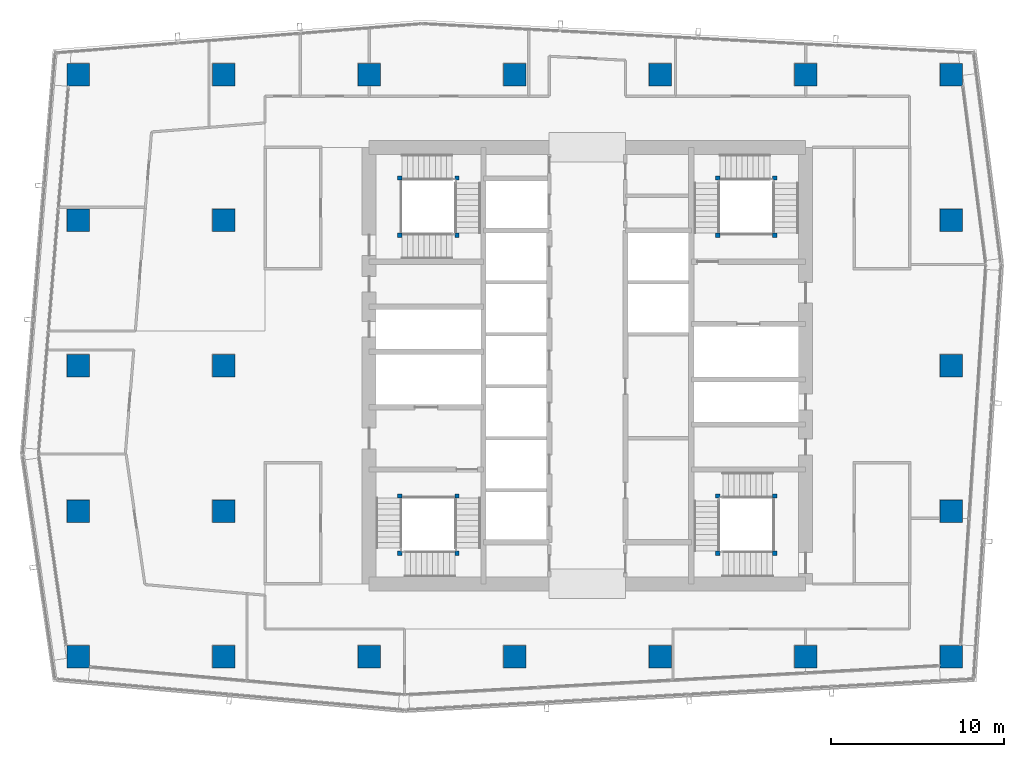
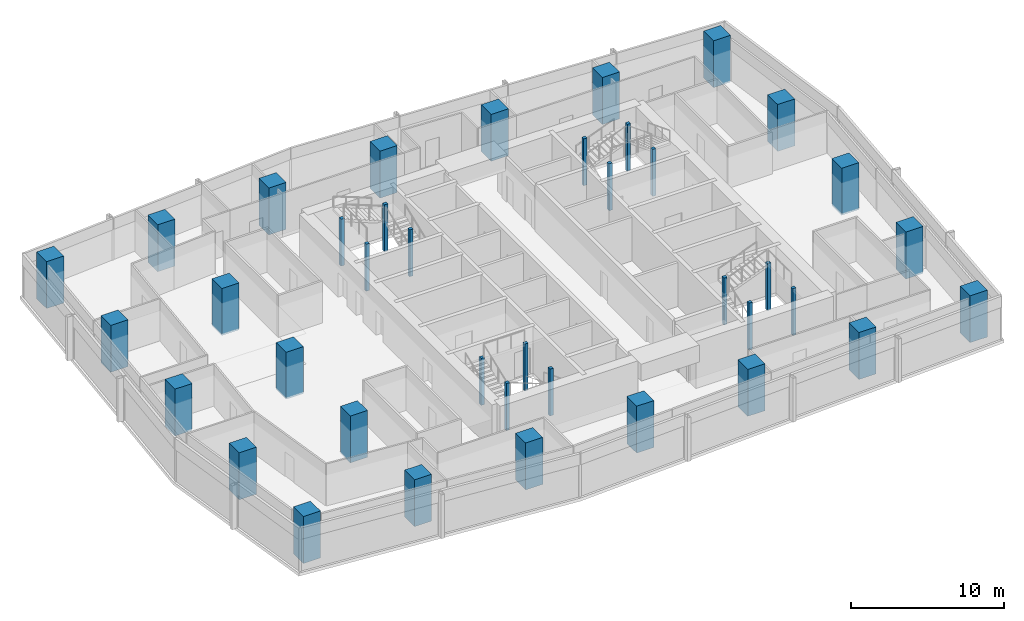
# One storey, part 1 of 29: 39 columns.
"""IFC4 building model written with IfcOpenShell, lengths in metres."""

from ifc_helpers import new_model, si_unit, direction, frame, origin, origin_2d, place, context, subcontext, project, spatial, rectangle, extrude, material, material_profile, profile_set, type_object, element, save


model = new_model("IFC4")

# Units and contexts
model_context = context("Model", 3, precision=1e-05, world=origin(), true_north=direction((0.0, 1.0)))
body_context = subcontext(model_context, "Body", "Model", "MODEL_VIEW")
ifc_project = project(units=[si_unit("LENGTHUNIT", "METRE"), si_unit("AREAUNIT", "SQUARE_METRE"), si_unit("VOLUMEUNIT", "CUBIC_METRE"), si_unit("PLANEANGLEUNIT", "RADIAN"), si_unit("MASSUNIT", "GRAM", prefix="KILO")], contexts=[model_context])

# Site, building, storey
site_placement = place(None, origin())
site = spatial("IfcSite", under=ifc_project, at=site_placement, CompositionType="ELEMENT")
building_placement = place(site_placement, origin())
building = spatial("IfcBuilding", under=site, at=building_placement, Name="Rekha Terrace Tower", CompositionType="ELEMENT")
storey_placement = place(building_placement, frame((0.0, 0.0, 257.60009765625)))
storey = spatial("IfcBuildingStorey", under=building, at=storey_placement, Name="L65", CompositionType="ELEMENT", Elevation=257.60009765625)

# Columns
ifc_material_1 = material(Name="Concrete M70", Category="concrete")
ifc_material_profile_1 = material_profile(ifc_material_1, rectangle(XDim=1.300048828125, YDim=1.300048828125, at=origin_2d()), Name="RC 1300x1300")
ifc_profile_set_1 = profile_set([ifc_material_profile_1], Name="Concrete M70")
column_type_1 = type_object("IfcColumnType", Name="C5D 1300x1300 column", PredefinedType="COLUMN", material=ifc_profile_set_1)
for number, where, z_axis, x_axis, name in (
    (1, (8.39990234375, 16.800048828125, 0.0), (0.0, 0.0, 1.0), (1.0, 0.0, 0.0), "Column C5D 2/C L65"),
    (2, (8.39990234375, 25.199951171875, 0.0), (0.0, 0.0, 1.0), (1.0, 0.0, 0.0), "Column C5D 2/D L65"),
    (3, (8.39990234375, 33.60009765625, 0.0), (0.0, 0.0, 1.0), (1.0, 0.0, 0.0), "Column C5D 2/E L65"),
    (4, (8.39990234375, 42.0, 0.0), (0.0, 0.0, 1.0), (1.0, 0.0, 0.0), "Column C5D 2/F L65"),
    (5, (8.39990234375, 50.39990234375, 0.0), (0.0, 0.0, 1.0), (1.0, 0.0, 0.0), "Column C5D 2/G L65"),
    (6, (16.800048828125, 16.800048828125, 0.0), (0.0, 0.0, 1.0), (1.0, 0.0, 0.0), "Column C5D 3/C L65"),
    (7, (16.800048828125, 25.199951171875, 0.0), (0.0, 0.0, 1.0), (1.0, 0.0, 0.0), "Column C5D 3/D L65"),
    (8, (16.800048828125, 33.60009765625, 0.0), (0.0, 0.0, 1.0), (1.0, 0.0, 0.0), "Column C5D 3/E L65"),
    (9, (16.800048828125, 42.0, 0.0), (0.0, 0.0, 1.0), (1.0, 0.0, 0.0), "Column C5D 3/F L65"),
    (10, (16.800048828125, 50.39990234375, 0.0), (0.0, 0.0, 1.0), (1.0, 0.0, 0.0), "Column C5D 3/G L65"),
    (11, (25.199951171875, 16.800048828125, 0.0), (0.0, 0.0, 1.0), (1.0, 0.0, 0.0), "Column C5D 4/C L65"),
    (12, (25.199951171875, 50.39990234375, 0.0), (0.0, 0.0, 1.0), (1.0, 0.0, 0.0), "Column C5D 4/G L65"),
    (13, (33.60009765625, 16.800048828125, 0.0), (0.0, 0.0, 1.0), (1.0, 0.0, 0.0), "Column C5D 5/C L65"),
    (14, (33.60009765625, 50.39990234375, 0.0), (0.0, 0.0, 1.0), (1.0, 0.0, 0.0), "Column C5D 5/G L65"),
    (15, (42.0, 16.800048828125, 0.0), (0.0, 0.0, 1.0), (1.0, 0.0, 0.0), "Column C5D 6/C L65"),
    (16, (42.0, 50.39990234375, 0.0), (0.0, 0.0, 1.0), (1.0, 0.0, 0.0), "Column C5D 6/G L65"),
    (17, (50.39990234375, 16.800048828125, 0.0), (0.0, 0.0, 1.0), (1.0, 0.0, 0.0), "Column C5D 7/C L65"),
    (18, (50.39990234375, 50.39990234375, 0.0), (0.0, 0.0, 1.0), (1.0, 0.0, 0.0), "Column C5D 7/G L65"),
    (19, (58.800048828125, 16.800048828125, 0.0), (0.0, 0.0, 1.0), (1.0, 0.0, 0.0), "Column C5D 8/C L65"),
    (20, (58.800048828125, 25.199951171875, 0.0), (0.0, 0.0, 1.0), (1.0, 0.0, 0.0), "Column C5D 8/D L65"),
    (21, (58.800048828125, 33.60009765625, 0.0), (0.0, 0.0, 1.0), (1.0, 0.0, 0.0), "Column C5D 8/E L65"),
    (22, (58.800048828125, 42.0, 0.0), (0.0, 0.0, 1.0), (1.0, 0.0, 0.0), "Column C5D 8/F L65"),
    (23, (58.800048828125, 50.39990234375, 0.0), (0.0, 0.0, 1.0), (1.0, 0.0, 0.0), "Column C5D 8/G L65"),
):
    element("IfcColumn", number, at=place(storey_placement, frame(where, z_axis=z_axis, x_axis=x_axis)), inside=storey, type_object=column_type_1, Name=name, PredefinedType="COLUMN", context=body_context, shape_type="SweptSolid", body=[
        extrude(rectangle(XDim=1.300048828125, YDim=1.300048828125, at=origin_2d()), origin(), (0.0, 0.0, 1.0), 3.75),
    ])
ifc_material_2 = material(Name="Concrete M60", Category="concrete")
ifc_material_profile_2 = material_profile(ifc_material_2, rectangle(XDim=0.25, YDim=0.25, at=origin_2d()), Name="RC 250x250")
ifc_profile_set_2 = profile_set([ifc_material_profile_2], Name="Concrete M60")
column_type_2 = type_object("IfcColumnType", Name="NP1 250x250 stair newel post", PredefinedType="COLUMN", material=ifc_profile_set_2)
for number, where, z_axis, x_axis, name in (
    (24, (30.27490234375, 26.074951171875, 0.0), (0.0, 0.0, 1.0), (1.0, 0.0, 0.0), "Stair newel post NP1"),
    (25, (30.27490234375, 22.77490234375, 0.0), (0.0, 0.0, 1.0), (1.0, 0.0, 0.0), "Stair newel post NP1"),
    (26, (26.97509765625, 22.77490234375, 0.0), (0.0, 0.0, 1.0), (1.0, 0.0, 0.0), "Stair newel post NP1"),
    (27, (26.97509765625, 26.074951171875, 0.0), (0.0, 0.0, 1.0), (1.0, 0.0, 0.0), "Stair newel post NP1"),
    (28, (45.324951171875, 41.125, 0.0), (0.0, 0.0, 1.0), (1.0, 0.0, 0.0), "Stair newel post NP1"),
    (29, (45.324951171875, 44.425048828125, 0.0), (0.0, 0.0, 1.0), (1.0, 0.0, 0.0), "Stair newel post NP1"),
    (30, (48.625, 44.425048828125, 0.0), (0.0, 0.0, 1.0), (1.0, 0.0, 0.0), "Stair newel post NP1"),
    (31, (48.625, 41.125, 0.0), (0.0, 0.0, 1.0), (1.0, 0.0, 0.0), "Stair newel post NP1"),
    (32, (48.625, 22.77490234375, 0.0), (0.0, 0.0, 1.0), (1.0, 0.0, 0.0), "Stair newel post NP1"),
    (33, (45.324951171875, 22.77490234375, 0.0), (0.0, 0.0, 1.0), (1.0, 0.0, 0.0), "Stair newel post NP1"),
    (34, (45.324951171875, 26.074951171875, 0.0), (0.0, 0.0, 1.0), (1.0, 0.0, 0.0), "Stair newel post NP1"),
    (35, (48.625, 26.074951171875, 0.0), (0.0, 0.0, 1.0), (1.0, 0.0, 0.0), "Stair newel post NP1"),
    (36, (26.97509765625, 41.125, 0.0), (0.0, 0.0, 1.0), (1.0, 0.0, 0.0), "Stair newel post NP1"),
    (37, (30.27490234375, 41.125, 0.0), (0.0, 0.0, 1.0), (1.0, 0.0, 0.0), "Stair newel post NP1"),
    (38, (30.27490234375, 44.425048828125, 0.0), (0.0, 0.0, 1.0), (1.0, 0.0, 0.0), "Stair newel post NP1"),
    (39, (26.97509765625, 44.425048828125, 0.0), (0.0, 0.0, 1.0), (1.0, 0.0, 0.0), "Stair newel post NP1"),
):
    element("IfcColumn", number, at=place(storey_placement, frame(where, z_axis=z_axis, x_axis=x_axis)), inside=storey, type_object=column_type_2, Name=name, PredefinedType="COLUMN", context=body_context, shape_type="SweptSolid", body=[
        extrude(rectangle(XDim=0.25, YDim=0.25, at=origin_2d()), origin(), (0.0, 0.0, 1.0), 3.75),
    ])

save(model, "model.ifc")
